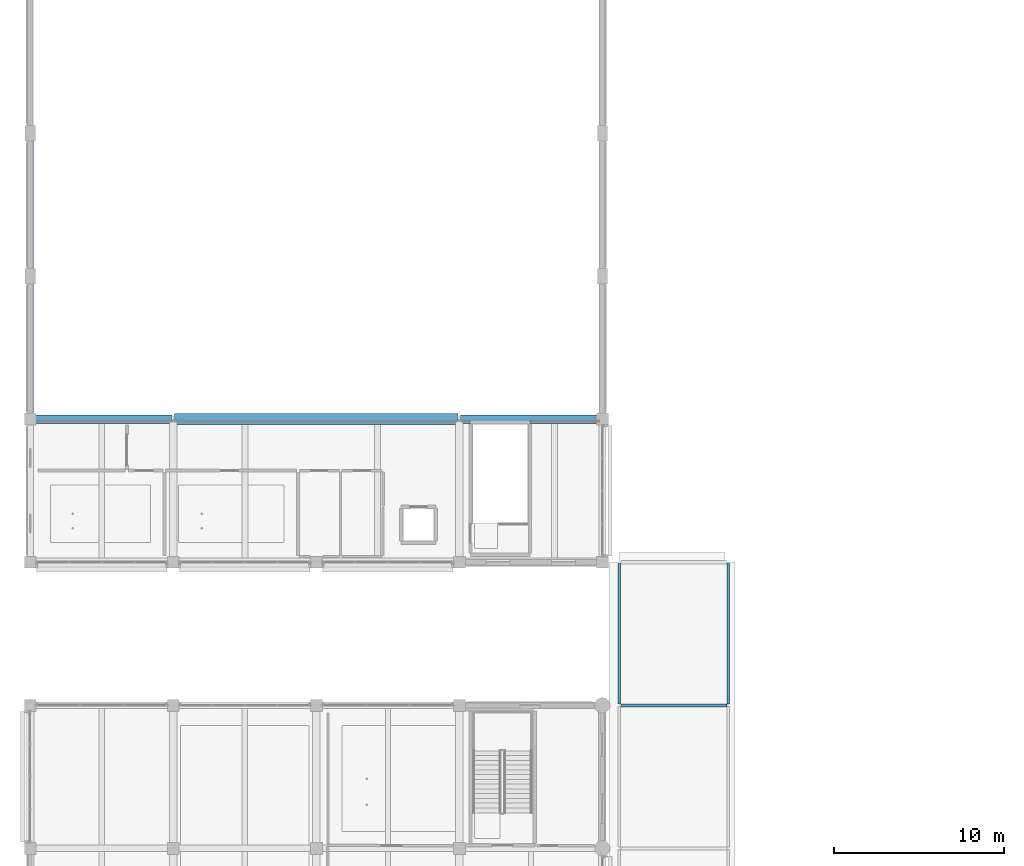
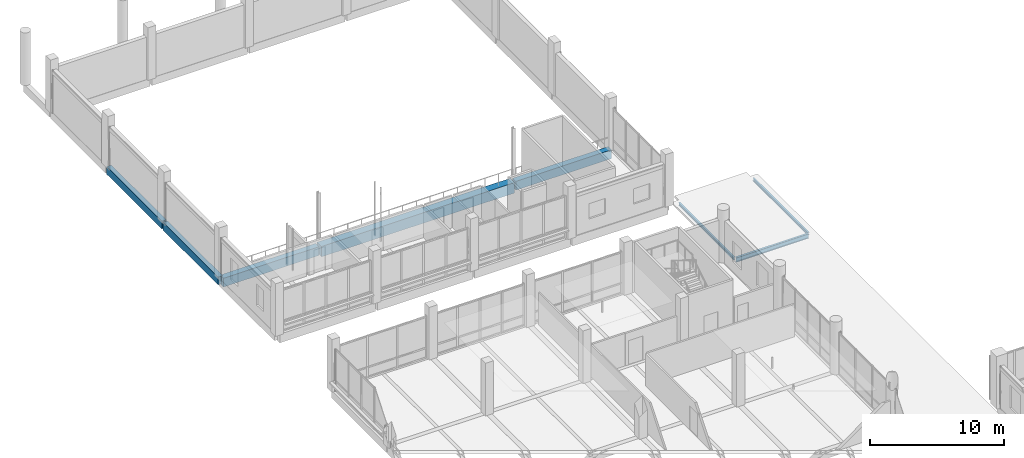
# One storey, part 31 of 128: 8 beams.
"""IFC4 building model written with IfcOpenShell, lengths in metres."""

import ifcopenshell
import ifcopenshell.guid

model = None  # the IFC model being written
_history = None  # IfcOwnerHistory: only IFC2X3 demands one
_inside = {}  # id of a spatial element -> (the spatial element, [elements in it])
_under = {}  # id of a project, library or spatial element -> (it, [spatial elements below it])
_declared = {}  # id of a project -> (the project, [libraries it declares])
_typed = {}  # id of a type object -> (the type object, [elements of that type])
_made_of = {}  # id of a material, layer set ... -> (it, [elements and type objects made of it])


def new_model(schema):
    """Start an empty IFC model of exactly this schema.

    Asked for "IFC4X3", IfcOpenShell would pick the latest addendum, in which some entities
    have other attributes; the version numbers below select the first issue.
    IFC2X3 requires an IfcOwnerHistory on every rooted entity: one is made here for all.
    """
    global model, _history
    if schema == "IFC4X3":
        model = ifcopenshell.file(schema_version=(4, 3, 0, 0))
    else:
        model = ifcopenshell.file(schema=schema)
    _inside.clear()
    _under.clear()
    _declared.clear()
    _typed.clear()
    _made_of.clear()
    _history = None
    if model.schema == "IFC2X3":
        org = make("IfcOrganization", Name="unknown")
        user = make(
            "IfcPersonAndOrganization",
            ThePerson=make("IfcPerson", FamilyName="unknown"),
            TheOrganization=org,
        )
        app = make(
            "IfcApplication",
            ApplicationDeveloper=org,
            Version="unknown",
            ApplicationFullName="unknown",
            ApplicationIdentifier="unknown",
        )
        _history = make(
            "IfcOwnerHistory",
            OwningUser=user,
            OwningApplication=app,
            ChangeAction="ADDED",
            CreationDate=0,
        )
    return model


def make(cls, **values):
    """One entity of the class cls with the attributes given. An attribute that is None is left unset."""
    return model.create_entity(
        cls, **{name: value for name, value in values.items() if value is not None}
    )


def rooted(cls, **values):
    """An entity with a GlobalId (a new one), such as an element, a storey or a relation."""
    return make(cls, GlobalId=ifcopenshell.guid.new(), OwnerHistory=_history, **values)


def si_unit(unit_type, name, prefix=None):
    """IfcSIUnit, for example si_unit("LENGTHUNIT", "METRE", prefix="MILLI")."""
    return make("IfcSIUnit", UnitType=unit_type, Prefix=prefix, Name=name)


def assignment(units):
    """IfcUnitAssignment: the units of a project."""
    return None if units is None else make("IfcUnitAssignment", Units=units)


def point(xyz):
    """IfcCartesianPoint."""
    return None if xyz is None else make("IfcCartesianPoint", Coordinates=xyz)


def direction(xyz):
    """IfcDirection."""
    return None if xyz is None else make("IfcDirection", DirectionRatios=xyz)


def frame(location, z_axis=None, x_axis=None):
    """IfcAxis2Placement3D, a coordinate frame: its origin and axes. An axis left out is left unset."""
    return make(
        "IfcAxis2Placement3D",
        Location=point(location),
        Axis=direction(z_axis),
        RefDirection=direction(x_axis),
    )


def frame_2d(location, x_axis=None):
    """IfcAxis2Placement2D, a coordinate frame in the plane: its origin and x axis."""
    return make(
        "IfcAxis2Placement2D", Location=point(location), RefDirection=direction(x_axis)
    )


def origin():
    """The frame at (0, 0, 0) with its axes left unset."""
    return frame((0.0, 0.0, 0.0))


def origin_2d():
    """The frame at (0, 0) in the plane with its x axis left unset."""
    return frame_2d((0.0, 0.0))


def place(relative_to, where):
    """IfcLocalPlacement: puts the frame where relative to a parent placement (None: the world)."""
    return make(
        "IfcLocalPlacement", PlacementRelTo=relative_to, RelativePlacement=where
    )


def context(
    kind, dimensions, precision=None, world=None, true_north=None, identifier=None
):
    """IfcGeometricRepresentationContext, for example the 3D "Model" context."""
    return make(
        "IfcGeometricRepresentationContext",
        ContextIdentifier=identifier,
        ContextType=kind,
        CoordinateSpaceDimension=dimensions,
        Precision=precision,
        WorldCoordinateSystem=world,
        TrueNorth=true_north,
    )


def subcontext(parent, identifier, kind, view, scale=None):
    """IfcGeometricRepresentationSubContext, for example "Body" below "Model"."""
    return make(
        "IfcGeometricRepresentationSubContext",
        ContextIdentifier=identifier,
        ContextType=kind,
        ParentContext=parent,
        TargetScale=scale,
        TargetView=view,
    )


def project(units=None, contexts=None):
    """IfcProject with its units and contexts."""
    return rooted(
        "IfcProject",
        Name="project",
        RepresentationContexts=contexts,
        UnitsInContext=assignment(units),
    )


def spatial(cls, under=None, at=None, **own):
    """A site, building, storey or space (cls), placed at a placement, below another one or the project."""
    s = rooted(cls, ObjectPlacement=at, **own)
    if under is not None:
        _under.setdefault(under.id(), (under, []))[1].append(s)
    return s


def profile(cls, at=None, kind="AREA", **sizes):
    """A parametric profile (cls). Its sizes go by their IFC names, for example OverallWidth=200.0."""
    return make(cls, ProfileType=kind, Position=at, **sizes)


def rectangle(**sizes):
    """IfcRectangleProfileDef."""
    return profile("IfcRectangleProfileDef", **sizes)


def i_section(**sizes):
    """IfcIShapeProfileDef."""
    return profile("IfcIShapeProfileDef", **sizes)


def extrude(swept, where, along, depth):
    """IfcExtrudedAreaSolid: the profile swept, set in the frame where, extruded along a direction by depth."""
    return make(
        "IfcExtrudedAreaSolid",
        SweptArea=swept,
        Position=where,
        ExtrudedDirection=direction(along),
        Depth=depth,
    )


def shape(context_of_items, identifier, shape_type, items):
    """IfcShapeRepresentation: the items that make up one representation, for example the "Body"."""
    return make(
        "IfcShapeRepresentation",
        ContextOfItems=context_of_items,
        RepresentationIdentifier=identifier,
        RepresentationType=shape_type,
        Items=items,
    )


def material(Name=None, Category=None):
    """IfcMaterial."""
    return make("IfcMaterial", Name=Name, Category=Category)


def material_profile(
    of_material, cross_section, Name=None, Category=None, Priority=None
):
    """IfcMaterialProfile: a cross section and its material."""
    return make(
        "IfcMaterialProfile",
        Name=Name,
        Material=of_material,
        Profile=cross_section,
        Priority=Priority,
        Category=Category,
    )


def profile_set(profiles, Name=None, composite=None):
    """IfcMaterialProfileSet."""
    return make(
        "IfcMaterialProfileSet",
        Name=Name,
        MaterialProfiles=profiles,
        CompositeProfile=composite,
    )


def made_of(thing, what):
    """Note that an element or type object is made of a material, layer set ...; save() writes the relation."""
    if what is not None:
        _made_of.setdefault(what.id(), (what, []))[1].append(thing)
    return thing


def type_object(cls, material=None, **own):
    """A type object (cls), such as IfcWallType, which elements share."""
    return made_of(rooted(cls, **own), material)


def element(
    cls,
    number,
    at=None,
    inside=None,
    cuts=None,
    type_object=None,
    material=None,
    context=None,
    identifier="Body",
    shape_type=None,
    held_by="IfcProductDefinitionShape",
    body=None,
    shapes=None,
    **own,
):
    """One element of the class cls, such as IfcWall. Its Tag is "e" and its number.

    at: its placement. inside: the storey or other place that contains it. cuts: it is an
    opening in that element (IfcRelVoidsElement). A single representation is given by context,
    identifier, shape_type and body (its items); several are given by shapes. held_by: the class
    of the entity that holds the representations. save() writes the other relations.
    """
    e = rooted(cls, Tag="e%d" % number, ObjectPlacement=at, **own)
    if body is not None:
        shapes = [shape(context, identifier, shape_type, body)]
    if shapes is not None:
        e.Representation = make(held_by, Representations=shapes)
    if inside is not None:
        _inside.setdefault(inside.id(), (inside, []))[1].append(e)
    if cuts is not None:
        rooted(
            "IfcRelVoidsElement", RelatingBuildingElement=cuts, RelatedOpeningElement=e
        )
    if type_object is not None:
        _typed.setdefault(type_object.id(), (type_object, []))[1].append(e)
    return made_of(e, material)


def aggregate(whole, parts):
    """IfcRelAggregates: a whole, such as a stair, and the parts it consists of."""
    return rooted("IfcRelAggregates", RelatingObject=whole, RelatedObjects=parts)


def save(model, path):
    """Write the relations noted so far, then the file.

    IfcRelAggregates (storeys below a building ...), IfcRelContainedInSpatialStructure (elements
    in a storey), IfcRelDefinesByType, IfcRelAssociatesMaterial and IfcRelDeclares: one each for
    every whole, place, type object, material and project.
    """
    for whole, parts in _under.values():
        aggregate(whole, parts)
    for where, things in _inside.values():
        rooted(
            "IfcRelContainedInSpatialStructure",
            RelatedElements=things,
            RelatingStructure=where,
        )
    for kind, things in _typed.values():
        rooted("IfcRelDefinesByType", RelatedObjects=things, RelatingType=kind)
    for what, things in _made_of.values():
        rooted("IfcRelAssociatesMaterial", RelatedObjects=things, RelatingMaterial=what)
    for by, libraries in _declared.values():
        rooted("IfcRelDeclares", RelatingContext=by, RelatedDefinitions=libraries)
    model.write(path)


model = new_model("IFC4")

# Units and contexts
model_context = context("Model", 3, precision=1e-05, world=origin(), true_north=direction((0.0, 1.0)))
body_context = subcontext(model_context, "Body", "Model", "MODEL_VIEW")
ifc_project = project(units=[si_unit("LENGTHUNIT", "METRE"), si_unit("AREAUNIT", "SQUARE_METRE"), si_unit("VOLUMEUNIT", "CUBIC_METRE"), si_unit("PLANEANGLEUNIT", "RADIAN"), si_unit("MASSUNIT", "GRAM", prefix="KILO")], contexts=[model_context])

# Site, building, storey
site_placement = place(None, origin())
site = spatial("IfcSite", under=ifc_project, at=site_placement, CompositionType="ELEMENT")
building_placement = place(site_placement, origin())
building = spatial("IfcBuilding", under=site, at=building_placement, Name="Telukmera Botanical Conservatory", CompositionType="ELEMENT")
storey_placement = place(building_placement, frame((0.0, 0.0, 5.39990234375)))
storey = spatial("IfcBuildingStorey", under=building, at=storey_placement, Name="L01", CompositionType="ELEMENT", Elevation=5.39990234375)

# Beams
ifc_material_1 = material(Name="Concrete C40/50", Category="concrete")
ifc_material_profile_1 = material_profile(ifc_material_1, rectangle(XDim=0.64990234375, YDim=0.949951171875, at=origin_2d()), Name="RC 650x950")
ifc_profile_set_1 = profile_set([ifc_material_profile_1], Name="Concrete C40/50")
beam_type_1 = type_object("IfcBeamType", Name="Beam_B2", PredefinedType="BEAM", material=ifc_profile_set_1)
beam_1_placement = place(storey_placement, frame((16.8798828125, 91.60009765625, -0.474853515625), z_axis=(1.0, 0.0, 0.0), x_axis=(0.0, 1.0, 0.0)))
element("IfcBeam", 1, at=beam_1_placement, inside=storey, type_object=beam_type_1, Name="Auditorium Frame Beam beam:V2:L01:balc_n:168", PredefinedType="BEAM", context=body_context, shape_type="SweptSolid", body=[
    extrude(rectangle(XDim=0.64990234375, YDim=0.949951171875, at=origin_2d()), origin(), (0.0, 0.0, 1.0), 16.64013671875),
])
ifc_material_profile_2 = material_profile(ifc_material_1, rectangle(XDim=0.5, YDim=0.800048828125, at=origin_2d()), Name="RC 500x800")
ifc_profile_set_2 = profile_set([ifc_material_profile_2], Name="Concrete C40/50")
beam_type_2 = type_object("IfcBeamType", Name="Beam_B5", PredefinedType="BEAM", material=ifc_profile_set_2)
for number, where, z_axis, x_axis, name in (
    (2, (8.47998046875, 91.60009765625, -0.39990234375), (1.0, 0.0, 0.0), (0.0, 1.0, 0.0), "Auditorium Frame Beam beam:V2:L01:balc_n:84"),
    (3, (33.679931640625, 91.60009765625, -0.39990234375), (1.0, 0.0, 0.0), (0.0, 1.0, 0.0), "Auditorium Frame Beam beam:V2:L01:balc_n:336"),
):
    element("IfcBeam", number, at=place(storey_placement, frame(where, z_axis=z_axis, x_axis=x_axis)), inside=storey, type_object=beam_type_2, Name=name, PredefinedType="BEAM", context=body_context, shape_type="SweptSolid", body=[
        extrude(rectangle(XDim=0.5, YDim=0.800048828125, at=origin_2d()), origin(), (0.0, 0.0, 1.0), 8.239990234375),
    ])
ifc_material_profile_3 = material_profile(ifc_material_1, rectangle(XDim=0.39990234375, YDim=0.699951171875, at=origin_2d()), Name="RC 400x700")
ifc_profile_set_3 = profile_set([ifc_material_profile_3], Name="Concrete C40/50")
beam_type_3 = type_object("IfcBeamType", Name="Beam_B7", PredefinedType="BEAM", material=ifc_profile_set_3)
for number, where, z_axis, x_axis, name in (
    (4, (8.39990234375, 91.679931640625, -0.349853515625), (0.0, 1.0, 0.0), (-1.0, 0.0, 0.0), "Auditorium Frame Beam beam:V2:L01:gy:84:916"),
    (5, (8.39990234375, 100.080078125, -0.349853515625), (0.0, 1.0, 0.0), (-1.0, 0.0, 0.0), "Auditorium Frame Beam beam:V2:L01:gy:84:1000"),
):
    element("IfcBeam", number, at=place(storey_placement, frame(where, z_axis=z_axis, x_axis=x_axis)), inside=storey, type_object=beam_type_3, Name=name, PredefinedType="BEAM", context=body_context, shape_type="SweptSolid", body=[
        extrude(rectangle(XDim=0.39990234375, YDim=0.699951171875, at=origin_2d()), origin(), (0.0, 0.0, 1.0), 8.239990234375),
    ])
ifc_material_2 = material(Name="Steel S355", Category="steel")
ifc_material_profile_4 = material_profile(ifc_material_2, i_section(OverallWidth=0.1787109375, OverallDepth=0.409423828125, WebThickness=0.0087890625, FlangeThickness=0.014404296875, FilletRadius=0.01025390625, at=origin_2d()), Name="UB 406x178x67")
ifc_profile_set_4 = profile_set([ifc_material_profile_4], Name="Steel S355")
beam_type_4 = type_object("IfcBeamType", Name="Beam_SB4", PredefinedType="BEAM", material=ifc_profile_set_4)
beam_2_placement = place(storey_placement, frame((43.080078125, 74.800048828125, -0.364501953125), z_axis=(1.0, 0.0, 0.0), x_axis=(0.0, 1.0, 0.0)))
element("IfcBeam", 6, at=beam_2_placement, inside=storey, type_object=beam_type_4, Name="Canopy Steel Girder west_arcade", PredefinedType="BEAM", context=body_context, shape_type="SweptSolid", body=[
    extrude(i_section(OverallWidth=0.1787109375, OverallDepth=0.409423828125, WebThickness=0.0087890625, FlangeThickness=0.014404296875, FilletRadius=0.01025390625, at=origin_2d()), origin(), (0.0, 0.0, 1.0), 6.239990234375),
])
ifc_material_profile_5 = material_profile(ifc_material_2, i_section(OverallWidth=0.146484375, OverallDepth=0.256103515625, WebThickness=0.00634765625, FlangeThickness=0.010986328125, FilletRadius=0.007568359375, at=origin_2d()), Name="UB 254x146x37")
ifc_profile_set_5 = profile_set([ifc_material_profile_5], Name="Steel S355")
beam_type_5 = type_object("IfcBeamType", Name="Beam_SB7", PredefinedType="JOIST", material=ifc_profile_set_5)
for number, where, z_axis, x_axis, name in (
    (7, (43.0, 74.8798828125, -0.287841796875), (0.0, 1.0, 0.0), (-1.0, 0.0, 0.0), "Canopy Steel Purlin west_arcade"),
    (8, (49.39990234375, 74.8798828125, -0.287841796875), (0.0, 1.0, 0.0), (-1.0, 0.0, 0.0), "Canopy Steel Purlin west_arcade"),
):
    element("IfcBeam", number, at=place(storey_placement, frame(where, z_axis=z_axis, x_axis=x_axis)), inside=storey, type_object=beam_type_5, Name=name, PredefinedType="JOIST", context=body_context, shape_type="SweptSolid", body=[
        extrude(i_section(OverallWidth=0.146484375, OverallDepth=0.256103515625, WebThickness=0.00634765625, FlangeThickness=0.010986328125, FilletRadius=0.007568359375, at=origin_2d()), origin(), (0.0, 0.0, 1.0), 8.240234375),
    ])

save(model, "model.ifc")
